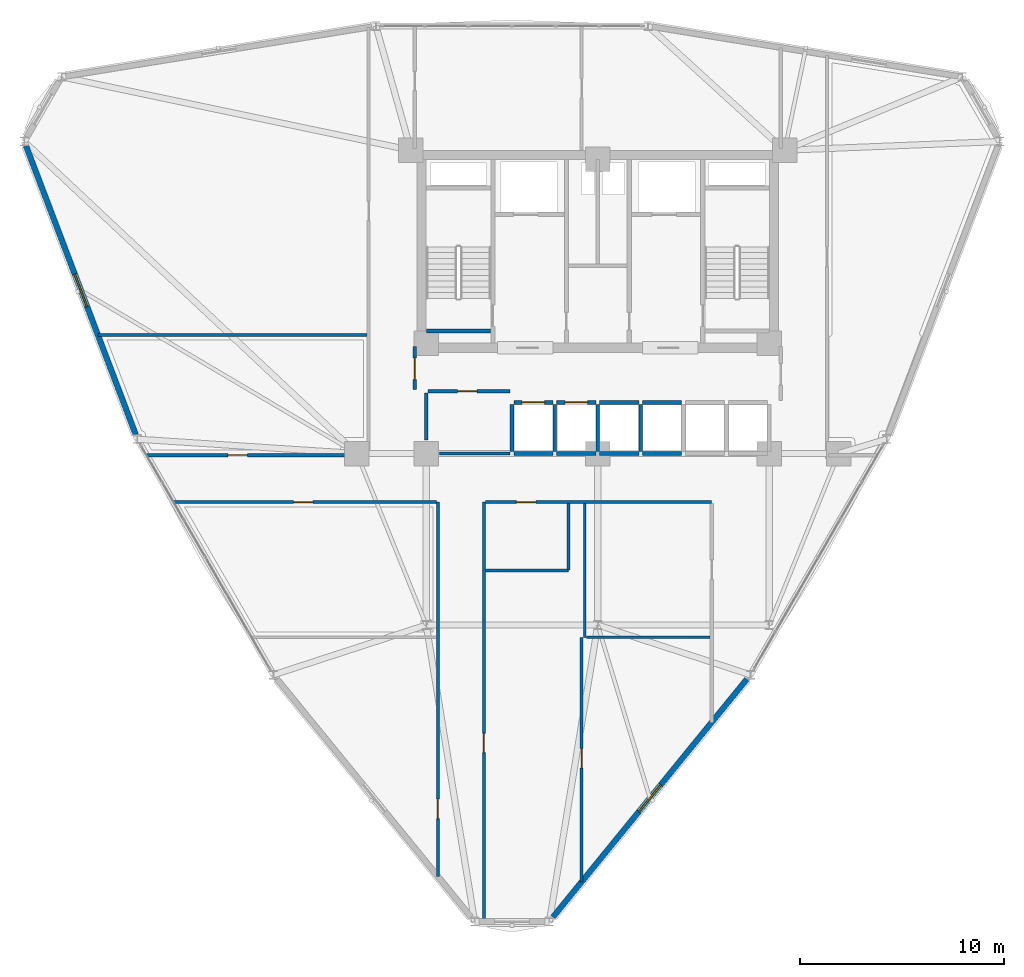
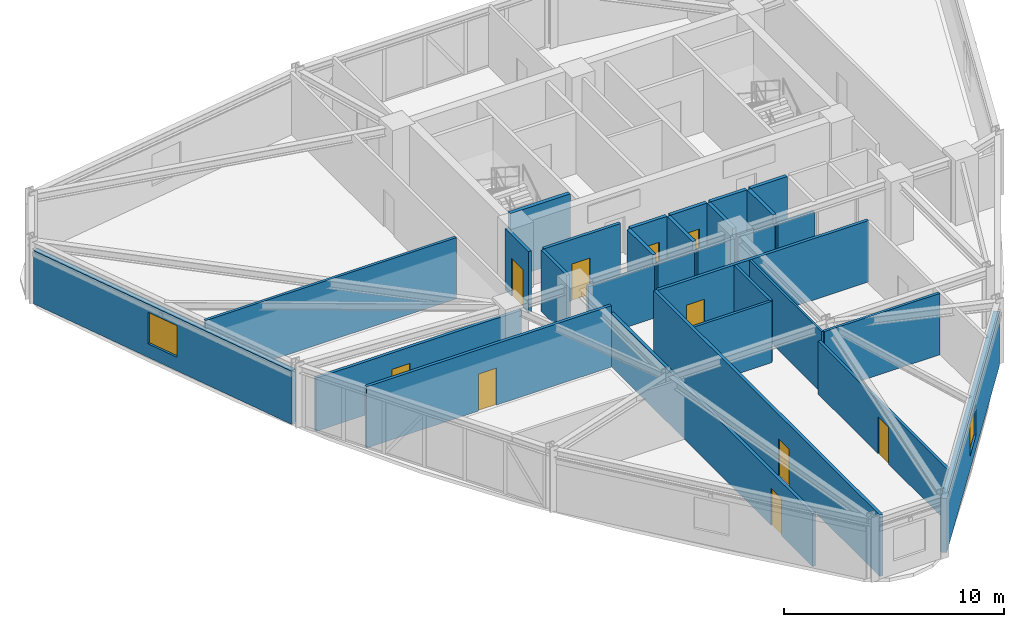
# One storey, part 12 of 18: 30 walls, 10 doors, 2 windows, 12 openings.
"""IFC4 building model written with IfcOpenShell, lengths in metres."""

from ifc_helpers import new_model, si_unit, derived_unit, direction, frame, frame_2d, origin, place, context, subcontext, project, spatial, rectangle, extrude, material, layer, layer_set, type_object, element, fill, save


model = new_model("IFC4")

# Units and contexts
model_context = context("Model", 3, precision=1e-05, world=origin(), true_north=direction((0.0, 1.0)))
body_context = subcontext(model_context, "Body", "Model", "MODEL_VIEW")
ifc_project = project(units=[si_unit("LENGTHUNIT", "METRE"), si_unit("AREAUNIT", "SQUARE_METRE"), si_unit("VOLUMEUNIT", "CUBIC_METRE"), si_unit("PLANEANGLEUNIT", "RADIAN"), si_unit("MASSUNIT", "GRAM", prefix="KILO"), derived_unit("THERMALTRANSMITTANCEUNIT", [(si_unit("POWERUNIT", "WATT"), 1), (si_unit("LENGTHUNIT", "METRE"), -2), (si_unit("THERMODYNAMICTEMPERATUREUNIT", "KELVIN"), -1)])], contexts=[model_context])

# Site, building, storey
site_placement = place(None, origin())
site = spatial("IfcSite", under=ifc_project, at=site_placement, CompositionType="ELEMENT")
building_placement = place(site_placement, origin())
building = spatial("IfcBuilding", under=site, at=building_placement, Name="Korsvarv Bourse and Concert Hall", CompositionType="ELEMENT")
storey_placement = place(building_placement, frame((0.0, 0.0, 139.800048828125)))
storey = spatial("IfcBuildingStorey", under=building, at=storey_placement, Name="L35", CompositionType="ELEMENT", Elevation=139.800048828125)

# Wall
ifc_material_1 = material(Name="Concrete C50/60", Category="concrete")
ifc_layer_1 = layer(ifc_material_1, 0.3798828125)
ifc_layer_set_1 = layer_set([ifc_layer_1], Name="Concrete C50/60")
wall_type_1 = type_object("IfcWallType", Name="WL-CORE-380", PredefinedType="SHEAR", material=ifc_layer_set_1)
wall_1_placement = place(storey_placement, frame((27.610107421875, 38.39990234375, 0.0), z_axis=(0.0, 0.0, 1.0), x_axis=(1.0, 0.0, 0.0)))
element("IfcWall", 1, at=wall_1_placement, inside=storey, type_object=wall_type_1, Name="L35 stair shaft structural wall W-L35-ST1-S", PredefinedType="SHEAR", context=body_context, shape_type="SweptSolid", body=[
    extrude(rectangle(XDim=3.139892578125, YDim=0.199951171875, at=frame_2d((1.56982421875, 0.0))), origin(), (0.0, 0.0, 1.0), 3.599853515625),
])

# Wall, opening, window
ifc_material_2 = material(Name="Precast concrete C45/55 with fluted terracotta pier", Category="concrete")
ifc_layer_2 = layer(ifc_material_2, 0.280029296875)
ifc_layer_set_2 = layer_set([ifc_layer_2], Name="Precast concrete C45/55 with fluted terracotta pier")
wall_type_2 = type_object("IfcWallType", Name="WL-EXT-TC2", PredefinedType="SOLIDWALL", material=ifc_layer_set_2)
wall_2_placement = place(storey_placement, frame((7.998291015625, 47.45556640625, 0.0), z_axis=(0.0, 0.0, 1.0), x_axis=(0.355302150634, -0.934751508025, 0.0)))
wall_2 = element("IfcWall", 2, at=wall_2_placement, inside=storey, type_object=wall_type_2, Name="L35 terracotta exterior wall EW-L35-B06", PredefinedType="SOLIDWALL", context=body_context, shape_type="SweptSolid", body=[
    extrude(rectangle(XDim=15.116943359375, YDim=0.280029296875, at=frame_2d((7.55859375, 0.0))), origin(), (0.0, 0.0, 1.0), 2.949951171875),
])
opening_1_placement = place(wall_2_placement, frame((6.70849609375, 0.0, 0.75)))
opening_1 = element("IfcOpeningElement", 3, at=opening_1_placement, cuts=wall_2, Name="Opening W-01", PredefinedType="OPENING", context=body_context, shape_type="SweptSolid", body=[
    extrude(rectangle(XDim=1.699951171875, YDim=1.75, at=frame_2d((0.85009765625, 0.875))), frame((0.0, 0.14990234375, 0.0), z_axis=(0.0, -1.0, 0.0), x_axis=(1.0, 0.0, 0.0)), (0.0, 0.0, 1.0), 0.300048828125),
])
ifc_material_3 = material(Name="Thermally broken aluminium frame with triple low-E glass", Category="glass")
window_type = type_object("IfcWindowType", Name="WIN-TW1", PartitioningType="SINGLE_PANEL", PredefinedType="WINDOW", material=ifc_material_3)
window_1_placement = place(opening_1_placement, origin())
window_1 = element("IfcWindow", 4, at=window_1_placement, inside=storey, type_object=window_type, Name="L35 punched facade window W-01", OverallHeight=1.75, OverallWidth=1.699951171875, PartitioningType="SINGLE_PANEL", PredefinedType="WINDOW", context=body_context, shape_type="SweptSolid", body=[
    extrude(rectangle(XDim=1.699951171875, YDim=1.75, at=frame_2d((0.85009765625, 0.875))), frame((0.0, 0.030029296875, 0.0), z_axis=(0.0, -1.0, 0.0), x_axis=(1.0, 0.0, 0.0)), (0.0, 0.0, 1.0), 0.06005859375),
])
fill(opening_1, window_1)

wall_3_placement = place(storey_placement, frame((33.81103515625, 9.697509765625, 0.0), z_axis=(0.0, 0.0, 1.0), x_axis=(0.631882431987, 0.775064250334, 0.0)))
wall_3 = element("IfcWall", 5, at=wall_3_placement, inside=storey, type_object=wall_type_2, Name="L35 terracotta exterior wall EW-L35-B10", PredefinedType="SOLIDWALL", context=body_context, shape_type="SweptSolid", body=[
    extrude(rectangle(XDim=15.0185546875, YDim=0.280029296875, at=frame_2d((7.50927734375, 0.0))), origin(), (0.0, 0.0, 1.0), 3.0),
])
opening_2_placement = place(wall_3_placement, frame((6.6591796875, 0.0, 0.75)))
opening_2 = element("IfcOpeningElement", 6, at=opening_2_placement, cuts=wall_3, Name="Opening W-01", PredefinedType="OPENING", context=body_context, shape_type="SweptSolid", body=[
    extrude(rectangle(XDim=1.699951171875, YDim=1.75, at=frame_2d((0.85009765625, 0.875))), frame((0.0, 0.14990234375, 0.0), z_axis=(0.0, -1.0, 0.0), x_axis=(1.0, 0.0, 0.0)), (0.0, 0.0, 1.0), 0.300048828125),
])
window_2_placement = place(opening_2_placement, origin())
window_2 = element("IfcWindow", 7, at=window_2_placement, inside=storey, type_object=window_type, Name="L35 punched facade window W-01", OverallHeight=1.75, OverallWidth=1.699951171875, PartitioningType="SINGLE_PANEL", PredefinedType="WINDOW", context=body_context, shape_type="SweptSolid", body=[
    extrude(rectangle(XDim=1.699951171875, YDim=1.75, at=frame_2d((0.85009765625, 0.875))), frame((0.0, 0.030029296875, 0.0), z_axis=(0.0, -1.0, 0.0), x_axis=(1.0, 0.0, 0.0)), (0.0, 0.0, 1.0), 0.06005859375),
])
fill(opening_2, window_2)

# Walls
ifc_material_4 = material(Name="Double-stud fire-rated acoustic partition", Category="gypsum")
ifc_layer_3 = layer(ifc_material_4, 0.159912109375)
ifc_layer_set_3 = layer_set([ifc_layer_3], Name="Double-stud fire-rated acoustic partition")
wall_type_3 = type_object("IfcWallType", Name="WL-INT-EI60", PredefinedType="PARTITIONING", material=ifc_layer_set_3)
wall_4_placement = place(storey_placement, frame((28.25, 32.39990234375, 0.0), z_axis=(0.0, 0.0, 1.0), x_axis=(1.0, 0.0, 0.0)))
element("IfcWall", 8, at=wall_4_placement, inside=storey, type_object=wall_type_3, Name="L35 interior partition wall W-L35-FRD-S", PredefinedType="PARTITIONING", context=body_context, shape_type="SweptSolid", body=[
    extrude(rectangle(XDim=3.449951171875, YDim=0.159912109375, at=frame_2d((1.72509765625, 0.0))), origin(), (0.0, 0.0, 1.0), 2.949951171875),
])
wall_5_placement = place(storey_placement, frame((27.60009765625, 33.050048828125, 0.0), z_axis=(0.0, 0.0, 1.0), x_axis=(0.0, 1.0, 0.0)))
element("IfcWall", 9, at=wall_5_placement, inside=storey, type_object=wall_type_3, Name="L35 interior partition wall W-L35-FRD-W", PredefinedType="PARTITIONING", context=body_context, shape_type="SweptSolid", body=[
    extrude(rectangle(XDim=2.31005859375, YDim=0.159912109375, at=frame_2d((1.155029296875, 0.0))), origin(), (0.0, 0.0, 1.0), 3.39990234375),
])

# Wall, opening, door
wall_6_placement = place(storey_placement, frame((27.68994140625, 35.449951171875, 0.0), z_axis=(0.0, 0.0, 1.0), x_axis=(1.0, 0.0, 0.0)))
wall_6 = element("IfcWall", 10, at=wall_6_placement, inside=storey, type_object=wall_type_3, Name="L35 interior partition wall W-L35-FRD-N", PredefinedType="PARTITIONING", context=body_context, shape_type="SweptSolid", body=[
    extrude(rectangle(XDim=4.010009765625, YDim=0.159912109375, at=frame_2d((2.0048828125, 0.0))), origin(), (0.0, 0.0, 1.0), 3.39990234375),
])
opening_3_placement = place(wall_6_placement, frame((1.449951171875, 0.0, 0.0)))
opening_3 = element("IfcOpeningElement", 11, at=opening_3_placement, cuts=wall_6, Name="Opening D-03", PredefinedType="OPENING", context=body_context, shape_type="SweptSolid", body=[
    extrude(rectangle(XDim=0.949951171875, YDim=2.050048828125, at=frame_2d((0.47509765625, 1.02490234375))), frame((0.0, 0.08984375, 0.0), z_axis=(0.0, -1.0, 0.0), x_axis=(1.0, 0.0, 0.0)), (0.0, 0.0, 1.0), 0.179931640625),
])
ifc_material_5 = material(Name="Nordic oak acoustic office door", Category="wood")
door_type_1 = type_object("IfcDoorType", Name="DR-INT-1", OperationType="NOTDEFINED", PredefinedType="DOOR", material=ifc_material_5)
door_1_placement = place(opening_3_placement, origin())
door_1 = element("IfcDoor", 12, at=door_1_placement, inside=storey, type_object=door_type_1, Name="L35 interior door DR-L35-FRDN1", OperationType="SINGLE_SWING_LEFT", OverallHeight=2.050048828125, OverallWidth=0.949951171875, PredefinedType="DOOR", context=body_context, shape_type="SweptSolid", body=[
    extrude(rectangle(XDim=0.949951171875, YDim=2.050048828125, at=frame_2d((0.47509765625, 1.02490234375))), frame((0.0, 0.02490234375, 0.0), z_axis=(0.0, -1.0, 0.0), x_axis=(1.0, 0.0, 0.0)), (0.0, 0.0, 1.0), 0.050048828125),
])
fill(opening_3, door_1)

wall_7_placement = place(storey_placement, frame((27.0400390625, 35.5400390625, 0.0), z_axis=(0.0, 0.0, 1.0), x_axis=(0.0, 1.0, 0.0)))
wall_7 = element("IfcWall", 13, at=wall_7_placement, inside=storey, type_object=wall_type_3, Name="L35 interior partition wall W-L35-LOB-WL", PredefinedType="PARTITIONING", context=body_context, shape_type="SweptSolid", body=[
    extrude(rectangle(XDim=2.10986328125, YDim=0.159912109375, at=frame_2d((1.054931640625, 0.0))), origin(), (0.0, 0.0, 1.0), 3.39990234375),
])
opening_4_placement = place(wall_7_placement, frame((0.47998046875, 0.0, 0.0)))
opening_4 = element("IfcOpeningElement", 14, at=opening_4_placement, cuts=wall_7, Name="Opening D-01", PredefinedType="OPENING", context=body_context, shape_type="SweptSolid", body=[
    extrude(rectangle(XDim=1.050048828125, YDim=2.10009765625, at=frame_2d((0.52490234375, 1.050048828125))), frame((0.0, 0.08984375, 0.0), z_axis=(0.0, -1.0, 0.0), x_axis=(1.0, 0.0, 0.0)), (0.0, 0.0, 1.0), 0.179931640625),
])
ifc_material_6 = material(Name="Steel S355 fire door", Category="steel")
door_type_2 = type_object("IfcDoorType", Name="DR-FD60", OperationType="NOTDEFINED", PredefinedType="DOOR", material=ifc_material_6)
door_2_placement = place(opening_4_placement, frame((1.050048828125, 0.0, 0.0), z_axis=(0.0, 0.0, 1.0), x_axis=(-1.0, 0.0, 0.0)))
door_2 = element("IfcDoor", 15, at=door_2_placement, inside=storey, type_object=door_type_2, Name="L35 interior door DR-L35-LOBW", OperationType="SINGLE_SWING_RIGHT", OverallHeight=2.10009765625, OverallWidth=1.050048828125, PredefinedType="DOOR", context=body_context, shape_type="SweptSolid", body=[
    extrude(rectangle(XDim=1.050048828125, YDim=2.10009765625, at=frame_2d((0.52490234375, 1.050048828125))), frame((0.0, 0.02490234375, 0.0), z_axis=(0.0, -1.0, 0.0), x_axis=(1.0, 0.0, 0.0)), (0.0, 0.0, 1.0), 0.050048828125),
])
fill(opening_4, door_2)

wall_8_placement = place(storey_placement, frame((30.425048828125, 9.4951171875, 0.0), z_axis=(0.0, 0.0, 1.0), x_axis=(0.0, 1.0, 0.0)))
wall_8 = element("IfcWall", 16, at=wall_8_placement, inside=storey, type_object=wall_type_3, Name="L35 interior partition wall W-L35-TCOR-02", PredefinedType="PARTITIONING", context=body_context, shape_type="SweptSolid", body=[
    extrude(rectangle(XDim=20.534912109375, YDim=0.159912109375, at=frame_2d((10.267578125, 0.0))), origin(), (0.0, 0.0, 1.0), 3.39990234375),
])
opening_5_placement = place(wall_8_placement, frame((8.25244140625, 0.0, 0.0)))
opening_5 = element("IfcOpeningElement", 17, at=opening_5_placement, cuts=wall_8, Name="Opening D-02", PredefinedType="OPENING", context=body_context, shape_type="SweptSolid", body=[
    extrude(rectangle(XDim=0.949951171875, YDim=2.050048828125, at=frame_2d((0.47509765625, 1.02490234375))), frame((0.0, 0.08984375, 0.0), z_axis=(0.0, -1.0, 0.0), x_axis=(1.0, 0.0, 0.0)), (0.0, 0.0, 1.0), 0.179931640625),
])
ifc_material_7 = material(Name="Timber and steel acoustic fire door", Category="wood")
door_type_3 = type_object("IfcDoorType", Name="DR-FD30", OperationType="NOTDEFINED", PredefinedType="DOOR", material=ifc_material_7)
door_3_placement = place(opening_5_placement, origin())
door_3 = element("IfcDoor", 18, at=door_3_placement, inside=storey, type_object=door_type_3, Name="L35 interior door DR-L35-TCOR-MI14", OperationType="SINGLE_SWING_LEFT", OverallHeight=2.050048828125, OverallWidth=0.949951171875, PredefinedType="DOOR", context=body_context, shape_type="SweptSolid", body=[
    extrude(rectangle(XDim=0.949951171875, YDim=2.050048828125, at=frame_2d((0.47509765625, 1.02490234375))), frame((0.0, 0.02490234375, 0.0), z_axis=(0.0, -1.0, 0.0), x_axis=(1.0, 0.0, 0.0)), (0.0, 0.0, 1.0), 0.050048828125),
])
fill(opening_5, door_3)

wall_9_placement = place(storey_placement, frame((28.175048828125, 11.697021484375, 0.0), z_axis=(0.0, 0.0, 1.0), x_axis=(0.0, 1.0, 0.0)))
wall_9 = element("IfcWall", 19, at=wall_9_placement, inside=storey, type_object=wall_type_3, Name="L35 interior partition wall W-L35-TCOR-04", PredefinedType="PARTITIONING", context=body_context, shape_type="SweptSolid", body=[
    extrude(rectangle(XDim=18.3330078125, YDim=0.159912109375, at=frame_2d((9.16650390625, 0.0))), origin(), (0.0, 0.0, 1.0), 2.949951171875),
])
opening_6_placement = place(wall_9_placement, frame((2.82373046875, 0.0, 0.0)))
opening_6 = element("IfcOpeningElement", 20, at=opening_6_placement, cuts=wall_9, Name="Opening D-02", PredefinedType="OPENING", context=body_context, shape_type="SweptSolid", body=[
    extrude(rectangle(XDim=0.949951171875, YDim=2.050048828125, at=frame_2d((0.47509765625, 1.02490234375))), frame((0.0, 0.08984375, 0.0), z_axis=(0.0, -1.0, 0.0), x_axis=(1.0, 0.0, 0.0)), (0.0, 0.0, 1.0), 0.179931640625),
])
door_4_placement = place(opening_6_placement, origin())
door_4 = element("IfcDoor", 21, at=door_4_placement, inside=storey, type_object=door_type_3, Name="L35 interior door DR-L35-TCOR-MI57", OperationType="SINGLE_SWING_LEFT", OverallHeight=2.050048828125, OverallWidth=0.949951171875, PredefinedType="DOOR", context=body_context, shape_type="SweptSolid", body=[
    extrude(rectangle(XDim=0.949951171875, YDim=2.050048828125, at=frame_2d((0.47509765625, 1.02490234375))), frame((0.0, 0.02490234375, 0.0), z_axis=(0.0, -1.0, 0.0), x_axis=(1.0, 0.0, 0.0)), (0.0, 0.0, 1.0), 0.050048828125),
])
fill(opening_6, door_4)

wall_10_placement = place(storey_placement, frame((15.250732421875, 30.02490234375, 0.0), z_axis=(0.0, 0.0, 1.0), x_axis=(1.0, 0.0, 0.0)))
wall_10 = element("IfcWall", 22, at=wall_10_placement, inside=storey, type_object=wall_type_3, Name="L35 interior partition wall W-L35-TCOR-05", PredefinedType="PARTITIONING", context=body_context, shape_type="SweptSolid", body=[
    extrude(rectangle(XDim=12.84228515625, YDim=0.159912109375, at=frame_2d((6.421142578125, 0.0))), origin(), (0.0, 0.0, 1.0), 3.39990234375),
])
opening_7_placement = place(wall_10_placement, frame((5.854248046875, 0.0, 0.0)))
opening_7 = element("IfcOpeningElement", 23, at=opening_7_placement, cuts=wall_10, Name="Opening D-02", PredefinedType="OPENING", context=body_context, shape_type="SweptSolid", body=[
    extrude(rectangle(XDim=0.949951171875, YDim=2.050048828125, at=frame_2d((0.47509765625, 1.02490234375))), frame((0.0, 0.08984375, 0.0), z_axis=(0.0, -1.0, 0.0), x_axis=(1.0, 0.0, 0.0)), (0.0, 0.0, 1.0), 0.179931640625),
])
door_5_placement = place(opening_7_placement, origin())
door_5 = element("IfcDoor", 24, at=door_5_placement, inside=storey, type_object=door_type_3, Name="L35 interior door DR-L35-TCOR-MI48", OperationType="SINGLE_SWING_RIGHT", OverallHeight=2.050048828125, OverallWidth=0.949951171875, PredefinedType="DOOR", context=body_context, shape_type="SweptSolid", body=[
    extrude(rectangle(XDim=0.949951171875, YDim=2.050048828125, at=frame_2d((0.47509765625, 1.02490234375))), frame((0.0, 0.02490234375, 0.0), z_axis=(0.0, -1.0, 0.0), x_axis=(1.0, 0.0, 0.0)), (0.0, 0.0, 1.0), 0.050048828125),
])
fill(opening_7, door_5)

wall_11_placement = place(storey_placement, frame((30.507080078125, 30.02490234375, 0.0), z_axis=(0.0, 0.0, 1.0), x_axis=(1.0, 0.0, 0.0)))
wall_11 = element("IfcWall", 25, at=wall_11_placement, inside=storey, type_object=wall_type_3, Name="L35 interior partition wall W-L35-TCOR-06", PredefinedType="PARTITIONING", context=body_context, shape_type="SweptSolid", body=[
    extrude(rectangle(XDim=11.072998046875, YDim=0.159912109375, at=frame_2d((5.53662109375, 0.0))), origin(), (0.0, 0.0, 1.0), 3.39990234375),
])
opening_8_placement = place(wall_11_placement, frame((1.51220703125, 0.0, 0.0)))
opening_8 = element("IfcOpeningElement", 26, at=opening_8_placement, cuts=wall_11, Name="Opening D-02", PredefinedType="OPENING", context=body_context, shape_type="SweptSolid", body=[
    extrude(rectangle(XDim=0.949951171875, YDim=2.050048828125, at=frame_2d((0.47509765625, 1.02490234375))), frame((0.0, 0.08984375, 0.0), z_axis=(0.0, -1.0, 0.0), x_axis=(1.0, 0.0, 0.0)), (0.0, 0.0, 1.0), 0.179931640625),
])
door_6_placement = place(opening_8_placement, origin())
door_6 = element("IfcDoor", 27, at=door_6_placement, inside=storey, type_object=door_type_3, Name="L35 interior door DR-L35-TCOR-RWC", OperationType="SINGLE_SWING_LEFT", OverallHeight=2.050048828125, OverallWidth=0.949951171875, PredefinedType="DOOR", context=body_context, shape_type="SweptSolid", body=[
    extrude(rectangle(XDim=0.949951171875, YDim=2.050048828125, at=frame_2d((0.47509765625, 1.02490234375))), frame((0.0, 0.02490234375, 0.0), z_axis=(0.0, -1.0, 0.0), x_axis=(1.0, 0.0, 0.0)), (0.0, 0.0, 1.0), 0.050048828125),
])
fill(opening_8, door_6)

wall_12_placement = place(storey_placement, frame((13.9287109375, 32.31494140625, 0.0), z_axis=(0.0, 0.0, 1.0), x_axis=(1.0, 0.0, 0.0)))
wall_12 = element("IfcWall", 28, at=wall_12_placement, inside=storey, type_object=wall_type_3, Name="L35 interior partition wall W-L35-TCOR-07", PredefinedType="PARTITIONING", context=body_context, shape_type="SweptSolid", body=[
    extrude(rectangle(XDim=10.764404296875, YDim=0.159912109375, at=frame_2d((5.38232421875, 0.0))), origin(), (0.0, 0.0, 1.0), 2.949951171875),
])
opening_9_placement = place(wall_12_placement, frame((3.964111328125, 0.0, 0.0)))
opening_9 = element("IfcOpeningElement", 29, at=opening_9_placement, cuts=wall_12, Name="Opening D-02", PredefinedType="OPENING", context=body_context, shape_type="SweptSolid", body=[
    extrude(rectangle(XDim=0.949951171875, YDim=2.050048828125, at=frame_2d((0.47509765625, 1.02490234375))), frame((0.0, 0.08984375, 0.0), z_axis=(0.0, -1.0, 0.0), x_axis=(1.0, 0.0, 0.0)), (0.0, 0.0, 1.0), 0.179931640625),
])
door_7_placement = place(opening_9_placement, origin())
door_7 = element("IfcDoor", 30, at=door_7_placement, inside=storey, type_object=door_type_3, Name="L35 interior door DR-L35-TCOR-MI69", OperationType="SINGLE_SWING_RIGHT", OverallHeight=2.050048828125, OverallWidth=0.949951171875, PredefinedType="DOOR", context=body_context, shape_type="SweptSolid", body=[
    extrude(rectangle(XDim=0.949951171875, YDim=2.050048828125, at=frame_2d((0.47509765625, 1.02490234375))), frame((0.0, 0.02490234375, 0.0), z_axis=(0.0, -1.0, 0.0), x_axis=(1.0, 0.0, 0.0)), (0.0, 0.0, 1.0), 0.050048828125),
])
fill(opening_9, door_7)

ifc_material_8 = material(Name="Gypsum-clad autoclaved concrete shaft wall C30/37", Category="concrete")
ifc_layer_4 = layer(ifc_material_8, 0.179931640625)
ifc_layer_set_4 = layer_set([ifc_layer_4], Name="Gypsum-clad autoclaved concrete shaft wall C30/37")
wall_type_4 = type_object("IfcWallType", Name="WL-INT-EI90", PredefinedType="PARTITIONING", material=ifc_layer_set_4)
wall_13_placement = place(storey_placement, frame((31.889892578125, 34.89990234375, 0.0), z_axis=(0.0, 0.0, 1.0), x_axis=(1.0, 0.0, 0.0)))
wall_13 = element("IfcWall", 31, at=wall_13_placement, inside=storey, type_object=wall_type_4, Name="L35 interior partition wall W-L35-SHFN-PM1", PredefinedType="PARTITIONING", context=body_context, shape_type="SweptSolid", body=[
    extrude(rectangle(XDim=1.920166015625, YDim=0.179931640625, at=frame_2d((0.9599609375, 0.0))), origin(), (0.0, 0.0, 1.0), 3.39990234375),
])
opening_10_placement = place(wall_13_placement, frame((0.409912109375, 0.0, 0.0)))
opening_10 = element("IfcOpeningElement", 32, at=opening_10_placement, cuts=wall_13, Name="Opening LD-2", PredefinedType="OPENING", context=body_context, shape_type="SweptSolid", body=[
    extrude(rectangle(XDim=1.10009765625, YDim=2.10009765625, at=frame_2d((0.550048828125, 1.050048828125))), frame((0.0, 0.10009765625, 0.0), z_axis=(0.0, -1.0, 0.0), x_axis=(1.0, 0.0, 0.0)), (0.0, 0.0, 1.0), 0.199951171875),
])
ifc_material_9 = material(Name="Brushed stainless Steel S355 lift landing door", Category="steel")
door_type_4 = type_object("IfcDoorType", Name="DR-LIFT-P", OperationType="DOUBLE_DOOR_SLIDING", PredefinedType="DOOR", material=ifc_material_9)
door_8_placement = place(opening_10_placement, origin())
door_8 = element("IfcDoor", 33, at=door_8_placement, inside=storey, type_object=door_type_4, Name="L35 lift sliding landing door LD-L35-PM1", OperationType="DOUBLE_DOOR_SLIDING", OverallHeight=2.10009765625, OverallWidth=1.10009765625, PredefinedType="DOOR", context=body_context, shape_type="SweptSolid", body=[
    extrude(rectangle(XDim=1.10009765625, YDim=2.10009765625, at=frame_2d((0.550048828125, 1.050048828125))), frame((0.0, 0.02490234375, 0.0), z_axis=(0.0, -1.0, 0.0), x_axis=(1.0, 0.0, 0.0)), (0.0, 0.0, 1.0), 0.050048828125),
])
fill(opening_10, door_8)

# Walls
wall_14_placement = place(storey_placement, frame((31.889892578125, 32.39990234375, 0.0), z_axis=(0.0, 0.0, 1.0), x_axis=(1.0, 0.0, 0.0)))
element("IfcWall", 34, at=wall_14_placement, inside=storey, type_object=wall_type_4, Name="L35 interior partition wall W-L35-SHFS-PM1", PredefinedType="PARTITIONING", context=body_context, shape_type="SweptSolid", body=[
    extrude(rectangle(XDim=1.920166015625, YDim=0.179931640625, at=frame_2d((0.9599609375, 0.0))), origin(), (0.0, 0.0, 1.0), 2.949951171875),
])
wall_15_placement = place(storey_placement, frame((31.800048828125, 32.489990234375, 0.0), z_axis=(0.0, 0.0, 1.0), x_axis=(0.0, 1.0, 0.0)))
element("IfcWall", 35, at=wall_15_placement, inside=storey, type_object=wall_type_4, Name="L35 interior partition wall W-L35-SHFW-PM1", PredefinedType="PARTITIONING", context=body_context, shape_type="SweptSolid", body=[
    extrude(rectangle(XDim=2.320068359375, YDim=0.179931640625, at=frame_2d((1.16015625, 0.0))), origin(), (0.0, 0.0, 1.0), 3.39990234375),
])

# Wall, opening, door
wall_16_placement = place(storey_placement, frame((33.989990234375, 34.89990234375, 0.0), z_axis=(0.0, 0.0, 1.0), x_axis=(1.0, 0.0, 0.0)))
wall_16 = element("IfcWall", 36, at=wall_16_placement, inside=storey, type_object=wall_type_4, Name="L35 interior partition wall W-L35-SHFN-PM2", PredefinedType="PARTITIONING", context=body_context, shape_type="SweptSolid", body=[
    extrude(rectangle(XDim=1.919921875, YDim=0.179931640625, at=frame_2d((0.9599609375, 0.0))), origin(), (0.0, 0.0, 1.0), 3.39990234375),
])
opening_11_placement = place(wall_16_placement, frame((0.409912109375, 0.0, 0.0)))
opening_11 = element("IfcOpeningElement", 37, at=opening_11_placement, cuts=wall_16, Name="Opening LD-2", PredefinedType="OPENING", context=body_context, shape_type="SweptSolid", body=[
    extrude(rectangle(XDim=1.10009765625, YDim=2.10009765625, at=frame_2d((0.550048828125, 1.050048828125))), frame((0.0, 0.10009765625, 0.0), z_axis=(0.0, -1.0, 0.0), x_axis=(1.0, 0.0, 0.0)), (0.0, 0.0, 1.0), 0.199951171875),
])
door_9_placement = place(opening_11_placement, origin())
door_9 = element("IfcDoor", 38, at=door_9_placement, inside=storey, type_object=door_type_4, Name="L35 lift sliding landing door LD-L35-PM2", OperationType="DOUBLE_DOOR_SLIDING", OverallHeight=2.10009765625, OverallWidth=1.10009765625, PredefinedType="DOOR", context=body_context, shape_type="SweptSolid", body=[
    extrude(rectangle(XDim=1.10009765625, YDim=2.10009765625, at=frame_2d((0.550048828125, 1.050048828125))), frame((0.0, 0.02490234375, 0.0), z_axis=(0.0, -1.0, 0.0), x_axis=(1.0, 0.0, 0.0)), (0.0, 0.0, 1.0), 0.050048828125),
])
fill(opening_11, door_9)

# Walls
wall_17_placement = place(storey_placement, frame((33.989990234375, 32.39990234375, 0.0), z_axis=(0.0, 0.0, 1.0), x_axis=(1.0, 0.0, 0.0)))
element("IfcWall", 39, at=wall_17_placement, inside=storey, type_object=wall_type_4, Name="L35 interior partition wall W-L35-SHFS-PM2", PredefinedType="PARTITIONING", context=body_context, shape_type="SweptSolid", body=[
    extrude(rectangle(XDim=1.919921875, YDim=0.179931640625, at=frame_2d((0.9599609375, 0.0))), origin(), (0.0, 0.0, 1.0), 2.949951171875),
])
wall_18_placement = place(storey_placement, frame((33.89990234375, 32.489990234375, 0.0), z_axis=(0.0, 0.0, 1.0), x_axis=(0.0, 1.0, 0.0)))
element("IfcWall", 40, at=wall_18_placement, inside=storey, type_object=wall_type_4, Name="L35 interior partition wall W-L35-SHFW-PM2", PredefinedType="PARTITIONING", context=body_context, shape_type="SweptSolid", body=[
    extrude(rectangle(XDim=2.320068359375, YDim=0.179931640625, at=frame_2d((1.16015625, 0.0))), origin(), (0.0, 0.0, 1.0), 3.39990234375),
])
wall_19_placement = place(storey_placement, frame((36.090087890625, 34.89990234375, 0.0), z_axis=(0.0, 0.0, 1.0), x_axis=(1.0, 0.0, 0.0)))
element("IfcWall", 41, at=wall_19_placement, inside=storey, type_object=wall_type_4, Name="L35 interior partition wall W-L35-SHFN-PH1", PredefinedType="PARTITIONING", context=body_context, shape_type="SweptSolid", body=[
    extrude(rectangle(XDim=1.919921875, YDim=0.179931640625, at=frame_2d((0.9599609375, 0.0))), origin(), (0.0, 0.0, 1.0), 3.39990234375),
])
wall_20_placement = place(storey_placement, frame((36.090087890625, 32.39990234375, 0.0), z_axis=(0.0, 0.0, 1.0), x_axis=(1.0, 0.0, 0.0)))
element("IfcWall", 42, at=wall_20_placement, inside=storey, type_object=wall_type_4, Name="L35 interior partition wall W-L35-SHFS-PH1", PredefinedType="PARTITIONING", context=body_context, shape_type="SweptSolid", body=[
    extrude(rectangle(XDim=1.919921875, YDim=0.179931640625, at=frame_2d((0.9599609375, 0.0))), origin(), (0.0, 0.0, 1.0), 2.949951171875),
])
wall_21_placement = place(storey_placement, frame((36.0, 32.489990234375, 0.0), z_axis=(0.0, 0.0, 1.0), x_axis=(0.0, 1.0, 0.0)))
element("IfcWall", 43, at=wall_21_placement, inside=storey, type_object=wall_type_4, Name="L35 interior partition wall W-L35-SHFW-PH1", PredefinedType="PARTITIONING", context=body_context, shape_type="SweptSolid", body=[
    extrude(rectangle(XDim=2.320068359375, YDim=0.179931640625, at=frame_2d((1.16015625, 0.0))), origin(), (0.0, 0.0, 1.0), 3.39990234375),
])
wall_22_placement = place(storey_placement, frame((38.18994140625, 34.89990234375, 0.0), z_axis=(0.0, 0.0, 1.0), x_axis=(1.0, 0.0, 0.0)))
element("IfcWall", 44, at=wall_22_placement, inside=storey, type_object=wall_type_4, Name="L35 interior partition wall W-L35-SHFN-PH2", PredefinedType="PARTITIONING", context=body_context, shape_type="SweptSolid", body=[
    extrude(rectangle(XDim=1.920166015625, YDim=0.179931640625, at=frame_2d((0.9599609375, 0.0))), origin(), (0.0, 0.0, 1.0), 3.39990234375),
])
wall_23_placement = place(storey_placement, frame((38.18994140625, 32.39990234375, 0.0), z_axis=(0.0, 0.0, 1.0), x_axis=(1.0, 0.0, 0.0)))
element("IfcWall", 45, at=wall_23_placement, inside=storey, type_object=wall_type_4, Name="L35 interior partition wall W-L35-SHFS-PH2", PredefinedType="PARTITIONING", context=body_context, shape_type="SweptSolid", body=[
    extrude(rectangle(XDim=1.920166015625, YDim=0.179931640625, at=frame_2d((0.9599609375, 0.0))), origin(), (0.0, 0.0, 1.0), 2.949951171875),
])
wall_24_placement = place(storey_placement, frame((38.10009765625, 32.489990234375, 0.0), z_axis=(0.0, 0.0, 1.0), x_axis=(0.0, 1.0, 0.0)))
element("IfcWall", 46, at=wall_24_placement, inside=storey, type_object=wall_type_4, Name="L35 interior partition wall W-L35-SHFW-PH2", PredefinedType="PARTITIONING", context=body_context, shape_type="SweptSolid", body=[
    extrude(rectangle(XDim=2.320068359375, YDim=0.179931640625, at=frame_2d((1.16015625, 0.0))), origin(), (0.0, 0.0, 1.0), 3.39990234375),
])
ifc_material_10 = material(Name="Demountable acoustic glass and aluminium dealing partition", Category="aluminium")
ifc_layer_5 = layer(ifc_material_10, 0.110107421875)
ifc_layer_set_5 = layer_set([ifc_layer_5], Name="Demountable acoustic glass and aluminium dealing partition")
wall_type_5 = type_object("IfcWallType", Name="WL-INT-MOV", PredefinedType="MOVABLE", material=ifc_layer_set_5)
wall_25_placement = place(storey_placement, frame((35.364990234375, 23.389892578125, 0.0), z_axis=(0.0, 0.0, 1.0), x_axis=(0.0, 1.0, 0.0)))
element("IfcWall", 47, at=wall_25_placement, inside=storey, type_object=wall_type_5, Name="L35 interior partition wall W-L35-TCOR-15", PredefinedType="MOVABLE", context=body_context, shape_type="SweptSolid", body=[
    extrude(rectangle(XDim=6.55322265625, YDim=0.110107421875, at=frame_2d((3.276611328125, 0.0))), origin(), (0.0, 0.0, 1.0), 3.39990234375),
])
ifc_material_11 = material(Name="Insulated steel-stud office acoustic partition", Category="gypsum")
ifc_layer_6 = layer(ifc_material_11, 0.139892578125)
ifc_layer_set_6 = layer_set([ifc_layer_6], Name="Insulated steel-stud office acoustic partition")
wall_type_6 = type_object("IfcWallType", Name="WL-INT-P1", PredefinedType="PARTITIONING", material=ifc_layer_set_6)
wall_26_placement = place(storey_placement, frame((11.534423828125, 38.205078125, 0.0), z_axis=(0.0, 0.0, 1.0), x_axis=(1.0, 0.0, 0.0)))
element("IfcWall", 48, at=wall_26_placement, inside=storey, type_object=wall_type_6, Name="L35 interior partition wall W-L35-TCOR-12", PredefinedType="PARTITIONING", context=body_context, shape_type="SweptSolid", body=[
    extrude(rectangle(XDim=13.15869140625, YDim=0.139892578125, at=frame_2d((6.579345703125, 0.0))), origin(), (0.0, 0.0, 1.0), 3.39990234375),
])

# Wall, opening, door
wall_27_placement = place(storey_placement, frame((35.205078125, 11.42724609375, 0.0), z_axis=(0.0, 0.0, 1.0), x_axis=(0.0, 1.0, 0.0)))
wall_27 = element("IfcWall", 49, at=wall_27_placement, inside=storey, type_object=wall_type_6, Name="L35 interior partition wall W-L35-TCOR-13", PredefinedType="PARTITIONING", context=body_context, shape_type="SweptSolid", body=[
    extrude(rectangle(XDim=11.962646484375, YDim=0.139892578125, at=frame_2d((5.9814453125, 0.0))), origin(), (0.0, 0.0, 1.0), 2.949951171875),
])
opening_12_placement = place(wall_27_placement, frame((5.57275390625, 0.0, 0.0)))
opening_12 = element("IfcOpeningElement", 50, at=opening_12_placement, cuts=wall_27, Name="Opening D-03", PredefinedType="OPENING", context=body_context, shape_type="SweptSolid", body=[
    extrude(rectangle(XDim=0.949951171875, YDim=2.050048828125, at=frame_2d((0.47509765625, 1.02490234375))), frame((0.0, 0.080078125, 0.0), z_axis=(0.0, -1.0, 0.0), x_axis=(1.0, 0.0, 0.0)), (0.0, 0.0, 1.0), 0.159912109375),
])
door_10_placement = place(opening_12_placement, origin())
door_10 = element("IfcDoor", 51, at=door_10_placement, inside=storey, type_object=door_type_1, Name="L35 interior door DR-L35-TCOR-MI35", OperationType="SINGLE_SWING_LEFT", OverallHeight=2.050048828125, OverallWidth=0.949951171875, PredefinedType="DOOR", context=body_context, shape_type="SweptSolid", body=[
    extrude(rectangle(XDim=0.949951171875, YDim=2.050048828125, at=frame_2d((0.47509765625, 1.02490234375))), frame((0.0, 0.02490234375, 0.0), z_axis=(0.0, -1.0, 0.0), x_axis=(1.0, 0.0, 0.0)), (0.0, 0.0, 1.0), 0.050048828125),
])
fill(opening_12, door_10)

# Walls
wall_28_placement = place(storey_placement, frame((35.43701171875, 23.405029296875, 0.0), z_axis=(0.0, 0.0, 1.0), x_axis=(1.0, 0.0, 0.0)))
element("IfcWall", 52, at=wall_28_placement, inside=storey, type_object=wall_type_6, Name="L35 interior partition wall W-L35-TCOR-16", PredefinedType="PARTITIONING", context=body_context, shape_type="SweptSolid", body=[
    extrude(rectangle(XDim=6.055908203125, YDim=0.139892578125, at=frame_2d((3.02783203125, 0.0))), origin(), (0.0, 0.0, 1.0), 3.39990234375),
])
wall_29_placement = place(storey_placement, frame((30.507080078125, 26.675048828125, 0.0), z_axis=(0.0, 0.0, 1.0), x_axis=(1.0, 0.0, 0.0)))
element("IfcWall", 53, at=wall_29_placement, inside=storey, type_object=wall_type_6, Name="L35 interior partition wall W-L35-TCOR-18", PredefinedType="PARTITIONING", context=body_context, shape_type="SweptSolid", body=[
    extrude(rectangle(XDim=4.052978515625, YDim=0.139892578125, at=frame_2d((2.0263671875, 0.0))), origin(), (0.0, 0.0, 1.0), 3.39990234375),
])
wall_30_placement = place(storey_placement, frame((34.574951171875, 26.68994140625, 0.0), z_axis=(0.0, 0.0, 1.0), x_axis=(0.0, 1.0, 0.0)))
element("IfcWall", 54, at=wall_30_placement, inside=storey, type_object=wall_type_6, Name="L35 interior partition wall W-L35-TCOR-19", PredefinedType="PARTITIONING", context=body_context, shape_type="SweptSolid", body=[
    extrude(rectangle(XDim=3.253173828125, YDim=0.139892578125, at=frame_2d((1.62646484375, 0.0))), origin(), (0.0, 0.0, 1.0), 3.39990234375),
])

save(model, "model.ifc")
